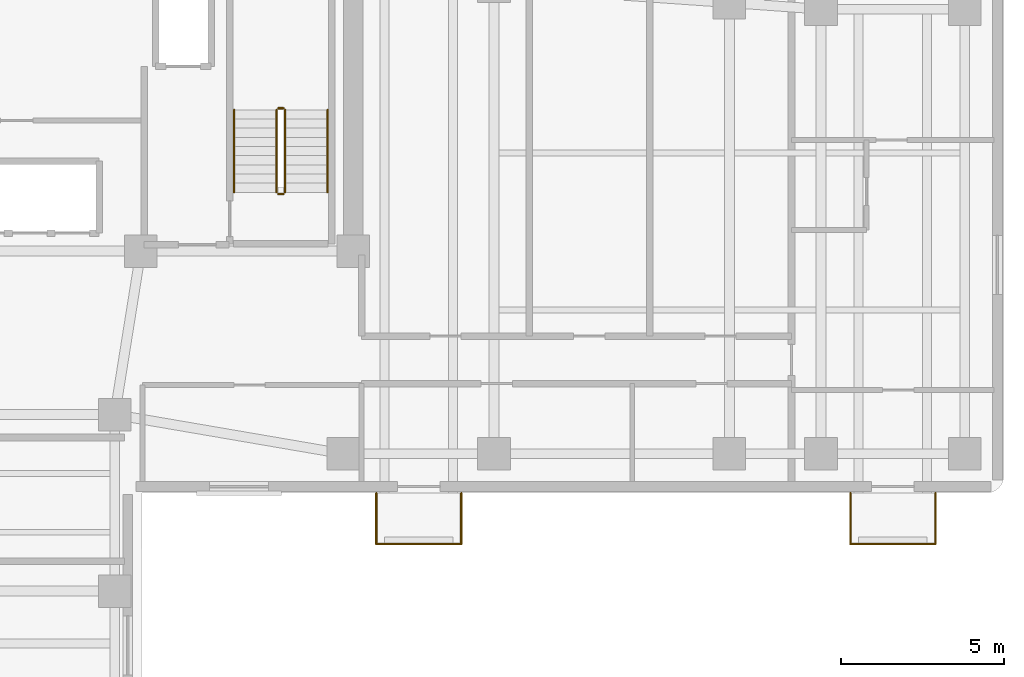
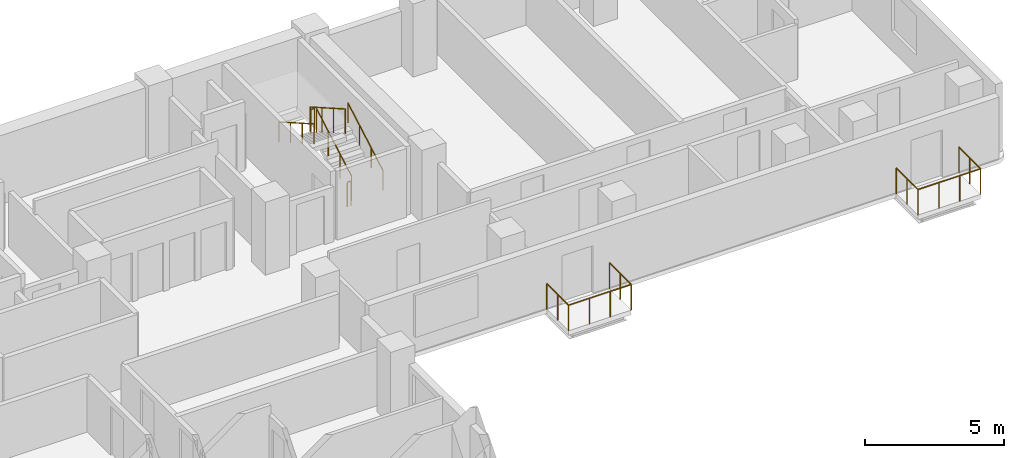
# One storey, part 7 of 7: 12 railings.
"""IFC4 building model written with IfcOpenShell, lengths in metres."""

from ifc_helpers import new_model, si_unit, direction, frame, origin, origin_2d, place, context, subcontext, project, spatial, circle, extrude, material, layer, layer_set, type_object, element, save


model = new_model("IFC4")

# Units and contexts
model_context = context("Model", 3, precision=1e-05, world=origin(), true_north=direction((0.0, 1.0)))
body_context = subcontext(model_context, "Body", "Model", "MODEL_VIEW")
ifc_project = project(units=[si_unit("LENGTHUNIT", "METRE"), si_unit("AREAUNIT", "SQUARE_METRE"), si_unit("VOLUMEUNIT", "CUBIC_METRE"), si_unit("PLANEANGLEUNIT", "RADIAN"), si_unit("MASSUNIT", "GRAM", prefix="KILO")], contexts=[model_context])

# Site, building, storey
site_placement = place(None, origin())
site = spatial("IfcSite", under=ifc_project, at=site_placement, CompositionType="ELEMENT")
building_placement = place(site_placement, origin())
building = spatial("IfcBuilding", under=site, at=building_placement, Name="Kuzgunbayir Cultural Tower", CompositionType="ELEMENT")
storey_placement = place(building_placement, frame((0.0, 0.0, 117.0)))
storey = spatial("IfcBuildingStorey", under=building, at=storey_placement, Name="L33", CompositionType="ELEMENT", Elevation=117.0)

# Railings
ifc_material_1 = material(Name="Laminated Glass and Stainless Steel", Category="steel")
ifc_layer_1 = layer(ifc_material_1, 0.080078125)
ifc_layer_set_1 = layer_set([ifc_layer_1], Name="Laminated Glass and Stainless Steel")
railing_type_1 = type_object("IfcRailingType", Name="RLG-BAL-115", PredefinedType="BALUSTRADE", material=ifc_layer_set_1)
railing_1_placement = place(storey_placement, frame((27.60009765625, 26.39990234375, 0.0)))
element("IfcRailing", 1, at=railing_1_placement, inside=storey, type_object=railing_type_1, Name="L33 Balcony Guard BAL-L33-WB1 Segment 1", PredefinedType="BALUSTRADE", context=body_context, shape_type="SweptSolid", body=[
    extrude(circle(Radius=0.02392578125, at=origin_2d()), frame((0.0, 0.0, 1.1259765625), z_axis=(0.0, -1.0, 0.0), x_axis=(1.0, 0.0, 0.0)), (0.0, 0.0, 1.0), 1.559814453125),
    extrude(circle(Radius=0.02099609375, at=origin_2d()), origin(), (0.0, 0.0, 1.0), 1.101806640625),
    extrude(circle(Radius=0.02099609375, at=origin_2d()), frame((0.0, -0.77978515625, 0.0)), (0.0, 0.0, 1.0), 1.101806640625),
    extrude(circle(Radius=0.02099609375, at=origin_2d()), frame((0.0, -1.559814453125, 0.0)), (0.0, 0.0, 1.0), 1.101806640625),
])
railing_2_placement = place(storey_placement, frame((27.60009765625, 24.840087890625, 0.0)))
element("IfcRailing", 2, at=railing_2_placement, inside=storey, type_object=railing_type_1, Name="L33 Balcony Guard BAL-L33-WB1 Segment 2", PredefinedType="BALUSTRADE", context=body_context, shape_type="SweptSolid", body=[
    extrude(circle(Radius=0.02392578125, at=origin_2d()), frame((0.0, 0.0, 1.1259765625), z_axis=(1.0, 0.0, 0.0), x_axis=(0.0, 1.0, 0.0)), (0.0, 0.0, 1.0), 2.599853515625),
    extrude(circle(Radius=0.02099609375, at=origin_2d()), origin(), (0.0, 0.0, 1.0), 1.101806640625),
    extrude(circle(Radius=0.02099609375, at=origin_2d()), frame((0.86669921875, 0.0, 0.0)), (0.0, 0.0, 1.0), 1.101806640625),
    extrude(circle(Radius=0.02099609375, at=origin_2d()), frame((1.733154296875, 0.0, 0.0)), (0.0, 0.0, 1.0), 1.101806640625),
    extrude(circle(Radius=0.02099609375, at=origin_2d()), frame((2.599853515625, 0.0, 0.0)), (0.0, 0.0, 1.0), 1.101806640625),
])
railing_3_placement = place(storey_placement, frame((30.199951171875, 24.840087890625, 0.0)))
element("IfcRailing", 3, at=railing_3_placement, inside=storey, type_object=railing_type_1, Name="L33 Balcony Guard BAL-L33-WB1 Segment 3", PredefinedType="BALUSTRADE", context=body_context, shape_type="SweptSolid", body=[
    extrude(circle(Radius=0.02392578125, at=origin_2d()), frame((0.0, 0.0, 1.1259765625), z_axis=(0.0, 1.0, 0.0), x_axis=(-1.0, 0.0, 0.0)), (0.0, 0.0, 1.0), 1.559814453125),
    extrude(circle(Radius=0.02099609375, at=origin_2d()), origin(), (0.0, 0.0, 1.0), 1.101806640625),
    extrude(circle(Radius=0.02099609375, at=origin_2d()), frame((0.0, 0.77978515625, 0.0)), (0.0, 0.0, 1.0), 1.101806640625),
    extrude(circle(Radius=0.02099609375, at=origin_2d()), frame((0.0, 1.559814453125, 0.0)), (0.0, 0.0, 1.0), 1.101806640625),
])
railing_4_placement = place(storey_placement, frame((42.10009765625, 26.39990234375, 0.0)))
element("IfcRailing", 4, at=railing_4_placement, inside=storey, type_object=railing_type_1, Name="L33 Balcony Guard BAL-L33-WB3 Segment 1", PredefinedType="BALUSTRADE", context=body_context, shape_type="SweptSolid", body=[
    extrude(circle(Radius=0.02392578125, at=origin_2d()), frame((0.0, 0.0, 1.1259765625), z_axis=(0.0, -1.0, 0.0), x_axis=(1.0, 0.0, 0.0)), (0.0, 0.0, 1.0), 1.559814453125),
    extrude(circle(Radius=0.02099609375, at=origin_2d()), origin(), (0.0, 0.0, 1.0), 1.101806640625),
    extrude(circle(Radius=0.02099609375, at=origin_2d()), frame((0.0, -0.77978515625, 0.0)), (0.0, 0.0, 1.0), 1.101806640625),
    extrude(circle(Radius=0.02099609375, at=origin_2d()), frame((0.0, -1.559814453125, 0.0)), (0.0, 0.0, 1.0), 1.101806640625),
])
railing_5_placement = place(storey_placement, frame((42.10009765625, 24.840087890625, 0.0)))
element("IfcRailing", 5, at=railing_5_placement, inside=storey, type_object=railing_type_1, Name="L33 Balcony Guard BAL-L33-WB3 Segment 2", PredefinedType="BALUSTRADE", context=body_context, shape_type="SweptSolid", body=[
    extrude(circle(Radius=0.02392578125, at=origin_2d()), frame((0.0, 0.0, 1.1259765625), z_axis=(1.0, 0.0, 0.0), x_axis=(0.0, 1.0, 0.0)), (0.0, 0.0, 1.0), 2.599853515625),
    extrude(circle(Radius=0.02099609375, at=origin_2d()), origin(), (0.0, 0.0, 1.0), 1.101806640625),
    extrude(circle(Radius=0.02099609375, at=origin_2d()), frame((0.86669921875, 0.0, 0.0)), (0.0, 0.0, 1.0), 1.101806640625),
    extrude(circle(Radius=0.02099609375, at=origin_2d()), frame((1.733154296875, 0.0, 0.0)), (0.0, 0.0, 1.0), 1.101806640625),
    extrude(circle(Radius=0.02099609375, at=origin_2d()), frame((2.599853515625, 0.0, 0.0)), (0.0, 0.0, 1.0), 1.101806640625),
])
railing_6_placement = place(storey_placement, frame((44.699951171875, 24.840087890625, 0.0)))
element("IfcRailing", 6, at=railing_6_placement, inside=storey, type_object=railing_type_1, Name="L33 Balcony Guard BAL-L33-WB3 Segment 3", PredefinedType="BALUSTRADE", context=body_context, shape_type="SweptSolid", body=[
    extrude(circle(Radius=0.02392578125, at=origin_2d()), frame((0.0, 0.0, 1.1259765625), z_axis=(0.0, 1.0, 0.0), x_axis=(-1.0, 0.0, 0.0)), (0.0, 0.0, 1.0), 1.559814453125),
    extrude(circle(Radius=0.02099609375, at=origin_2d()), origin(), (0.0, 0.0, 1.0), 1.101806640625),
    extrude(circle(Radius=0.02099609375, at=origin_2d()), frame((0.0, 0.77978515625, 0.0)), (0.0, 0.0, 1.0), 1.101806640625),
    extrude(circle(Radius=0.02099609375, at=origin_2d()), frame((0.0, 1.559814453125, 0.0)), (0.0, 0.0, 1.0), 1.101806640625),
])
ifc_material_2 = material(Name="Brushed Stainless Steel", Category="steel")
ifc_layer_2 = layer(ifc_material_2, 0.050048828125)
ifc_layer_set_2 = layer_set([ifc_layer_2], Name="Brushed Stainless Steel")
railing_type_2 = type_object("IfcRailingType", Name="RLG-STAIR-HANDRAIL", PredefinedType="HANDRAIL", material=ifc_layer_set_2)
railing_7_placement = place(storey_placement, frame((26.110107421875, 35.60009765625, 0.159912109375)))
element("IfcRailing", 7, at=railing_7_placement, inside=storey, type_object=railing_type_2, Name="L33 ST-2 stair handrail 1", PredefinedType="HANDRAIL", context=body_context, shape_type="SweptSolid", body=[
    extrude(circle(Radius=0.02392578125, at=origin_2d()), frame((0.0, 0.0, 0.8759765625), z_axis=(0.0, 0.868217259934, 0.496184229447), x_axis=(-1.0, 0.0, 0.0)), (0.0, 0.0, 1.0), 2.902587890625),
    extrude(circle(Radius=0.02099609375, at=origin_2d()), origin(), (0.0, 0.0, 1.0), 0.851806640625),
    extrude(circle(Radius=0.02099609375, at=origin_2d()), frame((0.0, 0.840087890625, 0.47998046875)), (0.0, 0.0, 1.0), 0.851806640625),
    extrude(circle(Radius=0.02099609375, at=origin_2d()), frame((0.0, 1.679931640625, 0.960205078125)), (0.0, 0.0, 1.0), 0.851806640625),
    extrude(circle(Radius=0.02099609375, at=origin_2d()), frame((0.0, 2.52001953125, 1.440185546875)), (0.0, 0.0, 1.0), 0.851806640625),
])
railing_8_placement = place(storey_placement, frame((23.25, 38.1201171875, 1.760009765625)))
element("IfcRailing", 8, at=railing_8_placement, inside=storey, type_object=railing_type_2, Name="L33 ST-2 stair handrail 2", PredefinedType="HANDRAIL", context=body_context, shape_type="SweptSolid", body=[
    extrude(circle(Radius=0.02392578125, at=origin_2d()), frame((0.0, 0.0, 0.8759765625), z_axis=(0.0, -0.868253494771, 0.496120820787), x_axis=(1.0, 0.0, 0.0)), (0.0, 0.0, 1.0), 2.90234375),
    extrude(circle(Radius=0.02099609375, at=origin_2d()), origin(), (0.0, 0.0, 1.0), 0.851806640625),
    extrude(circle(Radius=0.02099609375, at=origin_2d()), frame((0.0, -0.840087890625, 0.47998046875)), (0.0, 0.0, 1.0), 0.851806640625),
    extrude(circle(Radius=0.02099609375, at=origin_2d()), frame((0.0, -1.679931640625, 0.9599609375)), (0.0, 0.0, 1.0), 0.851806640625),
    extrude(circle(Radius=0.02099609375, at=origin_2d()), frame((0.0, -2.52001953125, 1.43994140625)), (0.0, 0.0, 1.0), 0.851806640625),
])
ifc_material_3 = material(Name="Painted Steel Balustrade", Category="steel")
ifc_layer_3 = layer(ifc_material_3, 0.06005859375)
ifc_layer_set_3 = layer_set([ifc_layer_3], Name="Painted Steel Balustrade")
railing_type_3 = type_object("IfcRailingType", Name="RLG-WELL-GUARD", PredefinedType="GUARDRAIL", material=ifc_layer_set_3)
railing_9_placement = place(storey_placement, frame((24.81005859375, 35.60009765625, 0.159912109375)))
element("IfcRailing", 9, at=railing_9_placement, inside=storey, type_object=railing_type_3, Name="L33 ST-2 stair guard 1", PredefinedType="GUARDRAIL", context=body_context, shape_type="SweptSolid", body=[
    extrude(circle(Radius=0.02392578125, at=origin_2d()), frame((0.0, 0.0, 1.076171875), z_axis=(0.0, 0.868217259934, 0.496184229447), x_axis=(-1.0, 0.0, 0.0)), (0.0, 0.0, 1.0), 2.902587890625),
    extrude(circle(Radius=0.02099609375, at=origin_2d()), origin(), (0.0, 0.0, 1.0), 1.052001953125),
    extrude(circle(Radius=0.02099609375, at=origin_2d()), frame((0.0, 0.840087890625, 0.47998046875)), (0.0, 0.0, 1.0), 1.052001953125),
    extrude(circle(Radius=0.02099609375, at=origin_2d()), frame((0.0, 1.679931640625, 0.960205078125)), (0.0, 0.0, 1.0), 1.052001953125),
    extrude(circle(Radius=0.02099609375, at=origin_2d()), frame((0.0, 2.52001953125, 1.440185546875)), (0.0, 0.0, 1.0), 1.052001953125),
])
railing_10_placement = place(storey_placement, frame((24.760009765625, 38.169921875, 1.60009765625)))
element("IfcRailing", 10, at=railing_10_placement, inside=storey, type_object=railing_type_3, Name="L33 ST-2 stair guard 2", PredefinedType="GUARDRAIL", context=body_context, shape_type="SweptSolid", body=[
    extrude(circle(Radius=0.02392578125, at=origin_2d()), frame((0.0, 0.0, 1.076171875), z_axis=(-1.0, 0.0, 0.0), x_axis=(0.0, -1.0, 0.0)), (0.0, 0.0, 1.0), 0.159912109375),
    extrude(circle(Radius=0.02099609375, at=origin_2d()), origin(), (0.0, 0.0, 1.0), 1.052001953125),
    extrude(circle(Radius=0.02099609375, at=origin_2d()), frame((-0.159912109375, 0.0, 0.0)), (0.0, 0.0, 1.0), 1.052001953125),
])
railing_11_placement = place(storey_placement, frame((24.550048828125, 38.1201171875, 1.760009765625)))
element("IfcRailing", 11, at=railing_11_placement, inside=storey, type_object=railing_type_3, Name="L33 ST-2 stair guard 3", PredefinedType="GUARDRAIL", context=body_context, shape_type="SweptSolid", body=[
    extrude(circle(Radius=0.02392578125, at=origin_2d()), frame((0.0, 0.0, 1.076171875), z_axis=(0.0, -0.868253494771, 0.496120820787), x_axis=(1.0, 0.0, 0.0)), (0.0, 0.0, 1.0), 2.90234375),
    extrude(circle(Radius=0.02099609375, at=origin_2d()), origin(), (0.0, 0.0, 1.0), 1.052001953125),
    extrude(circle(Radius=0.02099609375, at=origin_2d()), frame((0.0, -0.840087890625, 0.47998046875)), (0.0, 0.0, 1.0), 1.052001953125),
    extrude(circle(Radius=0.02099609375, at=origin_2d()), frame((0.0, -1.679931640625, 0.9599609375)), (0.0, 0.0, 1.0), 1.052001953125),
    extrude(circle(Radius=0.02099609375, at=origin_2d()), frame((0.0, -2.52001953125, 1.43994140625)), (0.0, 0.0, 1.0), 1.052001953125),
])
railing_12_placement = place(storey_placement, frame((24.760009765625, 35.550048828125, 0.0)))
element("IfcRailing", 12, at=railing_12_placement, inside=storey, type_object=railing_type_3, Name="L33 ST-2 stair guard 4", PredefinedType="GUARDRAIL", context=body_context, shape_type="SweptSolid", body=[
    extrude(circle(Radius=0.02392578125, at=origin_2d()), frame((0.0, 0.0, 1.076171875), z_axis=(-1.0, 0.0, 0.0), x_axis=(0.0, -1.0, 0.0)), (0.0, 0.0, 1.0), 0.159912109375),
    extrude(circle(Radius=0.02099609375, at=origin_2d()), origin(), (0.0, 0.0, 1.0), 1.052001953125),
    extrude(circle(Radius=0.02099609375, at=origin_2d()), frame((-0.159912109375, 0.0, 0.0)), (0.0, 0.0, 1.0), 1.052001953125),
])

save(model, "model.ifc")
